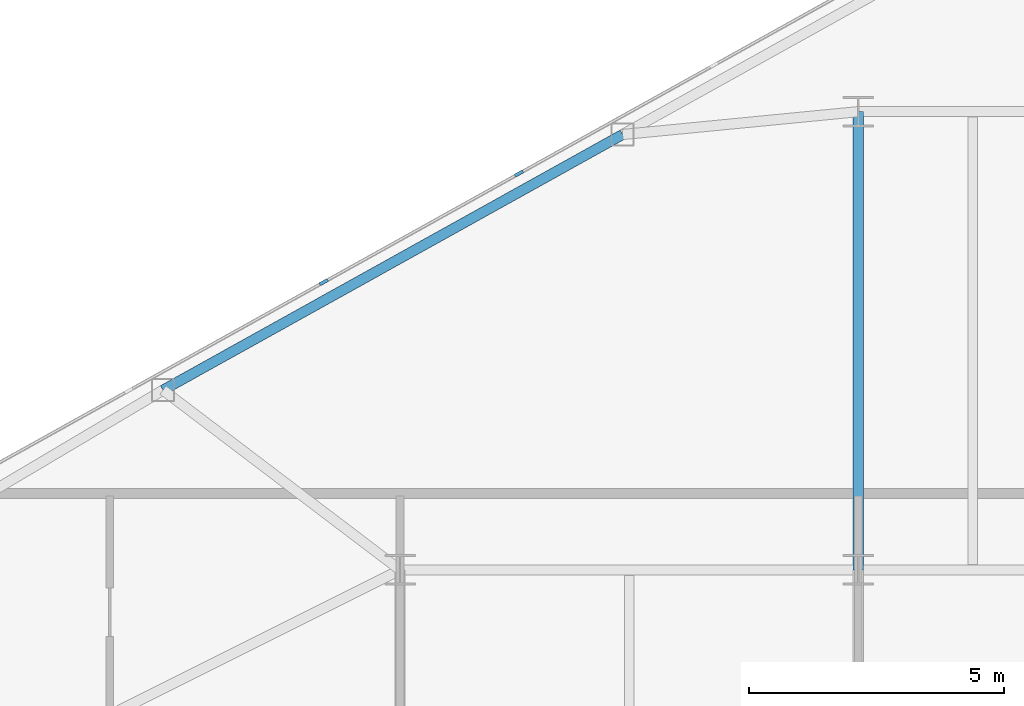
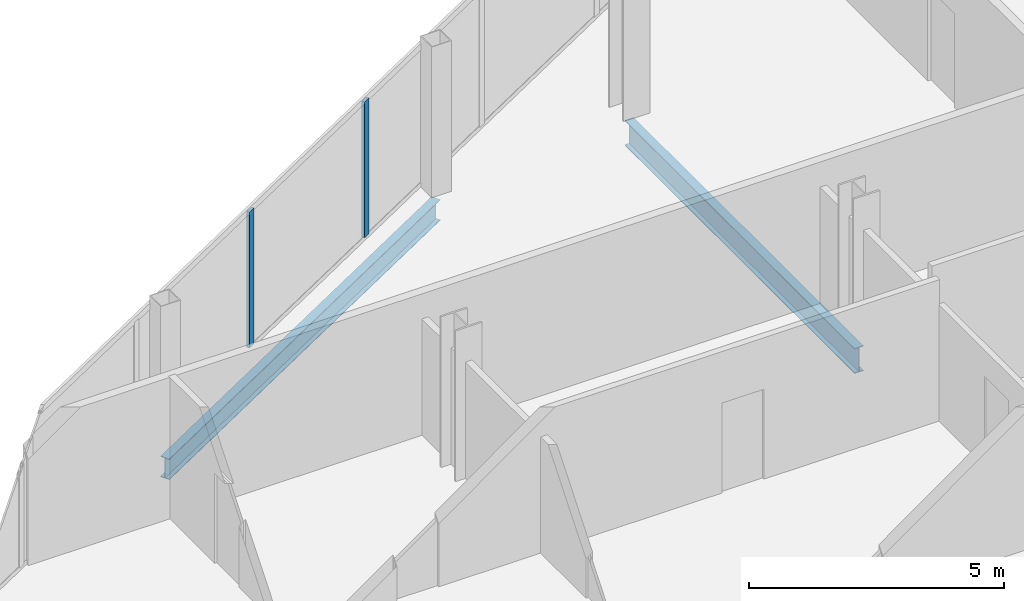
# One storey, part 8 of 26: 2 beams, 2 members, 1 element without a shape of its own.
"""IFC4 building model written with IfcOpenShell, lengths in metres."""

from ifc_helpers import new_model, si_unit, direction, frame, origin, origin_2d, place, context, subcontext, project, spatial, rectangle, i_section, extrude, source, transform, mapped, material, layer, layer_set, material_profile, profile_set, type_object, type_shapes, element, aggregate, save


model = new_model("IFC4")

# Units and contexts
model_context = context("Model", 3, precision=1e-05, world=origin(), true_north=direction((0.0, 1.0)))
body_context = subcontext(model_context, "Body", "Model", "MODEL_VIEW")
ifc_project = project(units=[si_unit("LENGTHUNIT", "METRE"), si_unit("AREAUNIT", "SQUARE_METRE"), si_unit("VOLUMEUNIT", "CUBIC_METRE"), si_unit("PLANEANGLEUNIT", "RADIAN"), si_unit("MASSUNIT", "GRAM", prefix="KILO")], contexts=[model_context])

# Site, building, storey
site_placement = place(None, origin())
site = spatial("IfcSite", under=ifc_project, at=site_placement, CompositionType="ELEMENT")
building_placement = place(site_placement, origin())
building = spatial("IfcBuilding", under=site, at=building_placement, Name="Seokmaru Belvedere", CompositionType="ELEMENT")
storey_placement = place(building_placement, frame((0.0, 0.0, 174.300048828125)))
storey = spatial("IfcBuildingStorey", under=building, at=storey_placement, Name="L46", CompositionType="ELEMENT", Elevation=174.300048828125)

# Beams
ifc_material_1 = material(Name="Steel SM355 (355 MPa)", Category="steel")
ifc_material_profile_1 = material_profile(ifc_material_1, i_section(OverallWidth=0.199951171875, OverallDepth=0.60009765625, WebThickness=0.010986328125, FlangeThickness=0.01708984375, at=origin_2d()), Name="H-600x200x11x17")
ifc_profile_set_1 = profile_set([ifc_material_profile_1], Name="Steel SM355 (355 MPa)")
beam_type_1 = type_object("IfcBeamType", Name="Primary Floor Girder H-600", PredefinedType="BEAM", material=ifc_profile_set_1)
shared_shape_1 = source(origin(), body_context, "Body", "SweptSolid", [
    extrude(i_section(OverallWidth=0.199951171875, OverallDepth=0.60009765625, WebThickness=0.010986328125, FlangeThickness=0.01708984375, at=origin_2d()), origin(), (0.0, 0.0, 1.0), 9.0),
])
type_shapes(beam_type_1, [shared_shape_1])
beam_1_placement = place(storey_placement, frame((-45.5, 4.5, -0.52001953125), z_axis=(0.0, 1.0, 0.0), x_axis=(-1.0, 0.0, 0.0)))
element("IfcBeam", 1, at=beam_1_placement, inside=storey, type_object=beam_type_1, Name="L46 W Interior Grid Girder 3", PredefinedType="BEAM", context=body_context, shape_type="MappedRepresentation", body=[
    mapped(shared_shape_1, transform((0.0, 0.0, 0.0), scale=1.0)),
])
ifc_material_profile_2 = material_profile(ifc_material_1, i_section(OverallWidth=0.199951171875, OverallDepth=0.5, WebThickness=0.010009765625, FlangeThickness=0.01611328125, at=origin_2d()), Name="H-500x200x10x16")
ifc_profile_set_2 = profile_set([ifc_material_profile_2], Name="Steel SM355 (355 MPa)")
beam_type_2 = type_object("IfcBeamType", Name="Perimeter Spandrel Beam H-500", PredefinedType="SPANDREL", material=ifc_profile_set_2)
shared_shape_2 = source(origin(), body_context, "Body", "SweptSolid", [
    extrude(i_section(OverallWidth=0.199951171875, OverallDepth=0.5, WebThickness=0.010009765625, FlangeThickness=0.01611328125, at=origin_2d()), origin(), (0.0, 0.0, 1.0), 10.327392578125),
])
type_shapes(beam_type_2, [shared_shape_2])
beam_2_placement = place(storey_placement, frame((-50.129150390625, 13.051025390625, -0.469970703125), z_axis=(-0.873934162361, -0.48604431882, 0.0), x_axis=(0.48604431882, -0.873934162361, 0.0)))
element("IfcBeam", 2, at=beam_2_placement, inside=storey, type_object=beam_type_2, Name="L46 W Faceted Flank Spandrel N-3", PredefinedType="SPANDREL", context=body_context, shape_type="MappedRepresentation", body=[
    mapped(shared_shape_2, transform((0.0, 0.0, 0.0), scale=1.0)),
])

# Curtain wall, members
ifc_material_2 = material(Name="Bronze Triple Insulating Glass", Category="glass")
ifc_layer = layer(ifc_material_2, 0.179931640625)
ifc_layer_set = layer_set([ifc_layer], Name="Bronze Triple Insulating Glass")
curtain_wall_type = type_object("IfcCurtainWallType", Name="High-Rise Wind-Corner Curtain Wall System CW-5", PredefinedType="NOTDEFINED", material=ifc_layer_set)
curtain_wall_placement = place(storey_placement, origin())
curtain_wall = element("IfcCurtainWall", 3, at=curtain_wall_placement, inside=storey, type_object=curtain_wall_type, Name="L46 Curtain Wall WF3", PredefinedType="NOTDEFINED")
ifc_material_3 = material(Name="Anodised Bronze Aluminium", Category="aluminium")
ifc_material_profile_3 = material_profile(ifc_material_3, rectangle(XDim=0.06494140625, YDim=0.179931640625, at=origin_2d()), Name="CW-M-65x180")
ifc_profile_set_3 = profile_set([ifc_material_profile_3], Name="Anodised Bronze Aluminium")
member_type = type_object("IfcMemberType", Name="Bronze Unitised Mullion 65x180", PredefinedType="MULLION", material=ifc_profile_set_3)
shared_shape_3 = source(origin(), body_context, "Body", "SweptSolid", [
    extrude(rectangle(XDim=0.06494140625, YDim=0.179931640625, at=origin_2d()), origin(), (0.0, 0.0, 1.0), 3.25),
])
type_shapes(member_type, [shared_shape_3])
member_1_placement = place(storey_placement, frame((-52.166015625, 12.2841796875, 0.06494140625), z_axis=(0.0, 0.0, 1.0), x_axis=(0.486047125147, -0.873932601598, 0.0)))
member_1 = element("IfcMember", 4, at=member_1_placement, type_object=member_type, Name="CW:L46:WF3 Mullion 6", PredefinedType="MULLION", context=body_context, shape_type="MappedRepresentation", body=[
    mapped(shared_shape_3, transform((0.0, 0.0, 0.0), scale=1.0)),
])
member_2_placement = place(storey_placement, frame((-55.998291015625, 10.153076171875, 0.06494140625), z_axis=(0.0, 0.0, 1.0), x_axis=(0.486047125147, -0.873932601598, 0.0)))
member_2 = element("IfcMember", 5, at=member_2_placement, type_object=member_type, Name="CW:L46:WF3 Mullion 7", PredefinedType="MULLION", context=body_context, shape_type="MappedRepresentation", body=[
    mapped(shared_shape_3, transform((0.0, 0.0, 0.0), scale=1.0)),
])
aggregate(curtain_wall, [member_1, member_2])

save(model, "model.ifc")
